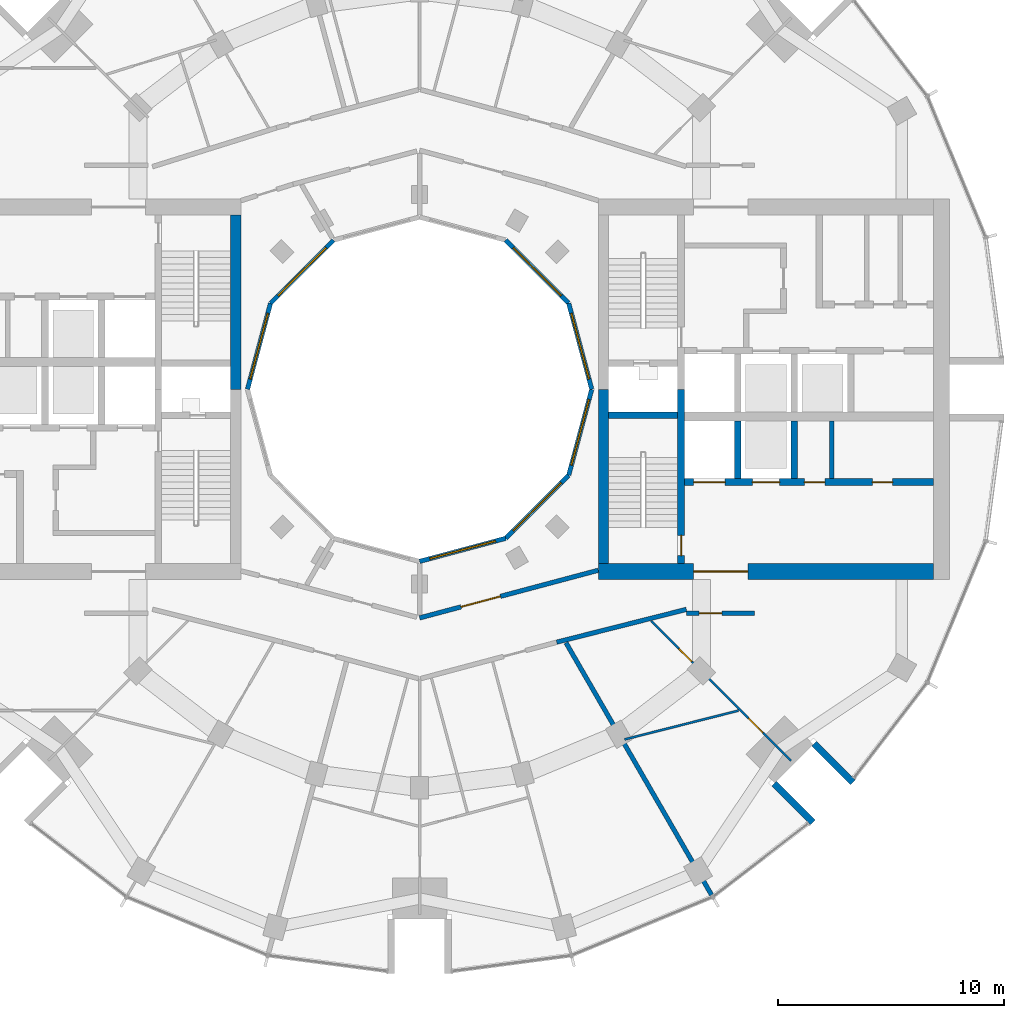
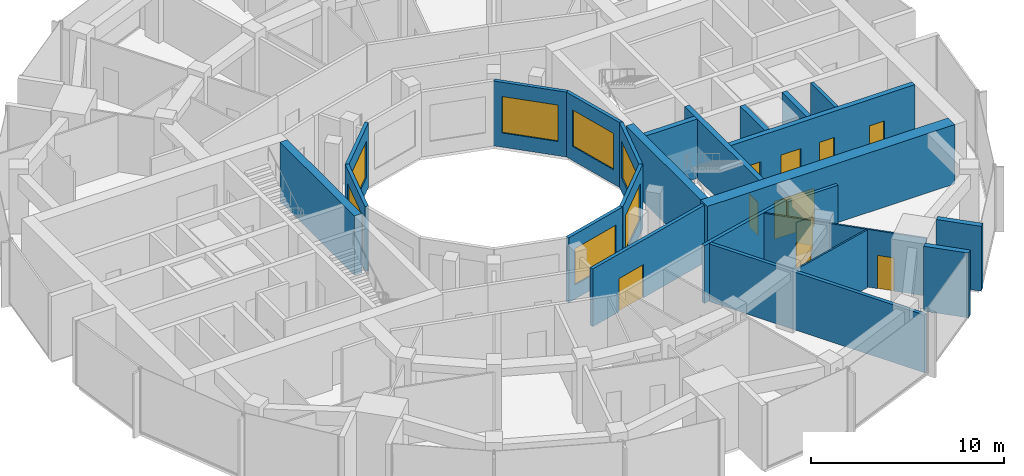
# One storey, part 10 of 15: 24 walls, 10 doors, 7 windows, 17 openings.
"""IFC4 building model written with IfcOpenShell, lengths in metres."""

from ifc_helpers import new_model, si_unit, direction, frame, frame_2d, origin, place, context, subcontext, project, spatial, rectangle, extrude, material, layer, layer_set, type_object, element, fill, save


model = new_model("IFC4")

# Units and contexts
model_context = context("Model", 3, precision=1e-05, world=origin(), true_north=direction((0.0, 1.0)))
body_context = subcontext(model_context, "Body", "Model", "MODEL_VIEW")
ifc_project = project(units=[si_unit("LENGTHUNIT", "METRE"), si_unit("AREAUNIT", "SQUARE_METRE"), si_unit("VOLUMEUNIT", "CUBIC_METRE"), si_unit("PLANEANGLEUNIT", "RADIAN"), si_unit("MASSUNIT", "GRAM", prefix="KILO")], contexts=[model_context])

# Site, building, storey
site_placement = place(None, origin())
site = spatial("IfcSite", under=ifc_project, at=site_placement, CompositionType="ELEMENT")
building_placement = place(site_placement, origin())
building = spatial("IfcBuilding", under=site, at=building_placement, Name="Torre Brocal", CompositionType="ELEMENT")
storey_placement = place(building_placement, frame((0.0, 0.0, 202.800048828125)))
storey = spatial("IfcBuildingStorey", under=building, at=storey_placement, Name="L47", CompositionType="ELEMENT", Elevation=202.800048828125)

# Wall
ifc_material_1 = material(Name="Masonry block", Category="masonry")
ifc_layer_1 = layer(ifc_material_1, 0.199951171875)
ifc_layer_set_1 = layer_set([ifc_layer_1], Name="Masonry block")
wall_type_1 = type_object("IfcWallType", Name="CORE PARTITION 200 UNDER 350 SLAB", PredefinedType="PARTITIONING", material=ifc_layer_set_1)
wall_1_placement = place(storey_placement, frame((98.199951171875, 71.050048828125, 0.0), z_axis=(0.0, 0.0, 1.0), x_axis=(0.0, 1.0, 0.0)))
element("IfcWall", 1, at=wall_1_placement, inside=storey, type_object=wall_type_1, Name="Wall CP200-S350", PredefinedType="PARTITIONING", context=body_context, shape_type="SweptSolid", body=[
    extrude(rectangle(XDim=2.550048828125, YDim=0.199951171875, at=frame_2d((1.27490234375, 0.0))), origin(), (0.0, 0.0, 1.0), 3.75),
])

# Wall, opening, door
ifc_material_2 = material(Name="Concrete C70", Category="concrete")
ifc_layer_2 = layer(ifc_material_2, 0.300048828125)
ifc_layer_set_2 = layer_set([ifc_layer_2], Name="Concrete C70")
wall_type_2 = type_object("IfcWallType", Name="CORE WALL 300 C70 UNDER 350 SLAB", PredefinedType="SHEAR", material=ifc_layer_set_2)
wall_2_placement = place(storey_placement, frame((91.550048828125, 67.300048828125, 0.0), z_axis=(0.0, 0.0, 1.0), x_axis=(0.0, 1.0, 0.0)))
wall_2 = element("IfcWall", 2, at=wall_2_placement, inside=storey, type_object=wall_type_2, Name="Wall CW300-70-S350", PredefinedType="SHEAR", context=body_context, shape_type="SweptSolid", body=[
    extrude(rectangle(XDim=7.699951171875, YDim=0.300048828125, at=frame_2d((3.85009765625, 0.0))), origin(), (0.0, 0.0, 1.0), 3.75),
])
opening_1_placement = place(wall_2_placement, frame((0.35009765625, 0.0, 0.0)))
opening_1 = element("IfcOpeningElement", 3, at=opening_1_placement, cuts=wall_2, Name="Opening E-D03", PredefinedType="OPENING", context=body_context, shape_type="SweptSolid", body=[
    extrude(rectangle(XDim=0.89990234375, YDim=2.10009765625, at=frame_2d((0.449951171875, 1.050048828125))), frame((0.0, 0.159912109375, 0.0), z_axis=(0.0, -1.0, 0.0), x_axis=(1.0, 0.0, 0.0)), (0.0, 0.0, 1.0), 0.320068359375),
])
ifc_material_3 = material(Name="Steel A653", Category="steel")
door_type_1 = type_object("IfcDoorType", Name="STAIR DOOR FD120 900X2100", OperationType="SINGLE_SWING_RIGHT", PredefinedType="DOOR", material=ifc_material_3)
door_1_placement = place(opening_1_placement, origin())
door_1 = element("IfcDoor", 4, at=door_1_placement, inside=storey, type_object=door_type_1, Name="Door E-D03", OperationType="SINGLE_SWING_LEFT", OverallHeight=2.10009765625, OverallWidth=0.89990234375, PredefinedType="DOOR", context=body_context, shape_type="SweptSolid", body=[
    extrude(rectangle(XDim=0.89990234375, YDim=2.10009765625, at=frame_2d((0.449951171875, 1.050048828125))), frame((0.0, 0.02490234375, 0.0), z_axis=(0.0, -1.0, 0.0), x_axis=(1.0, 0.0, 0.0)), (0.0, 0.0, 1.0), 0.050048828125),
])
fill(opening_1, door_1)

# Wall
wall_3_placement = place(storey_placement, frame((88.35009765625, 73.85009765625, 0.0), z_axis=(0.0, 0.0, 1.0), x_axis=(1.0, 0.0, 0.0)))
element("IfcWall", 5, at=wall_3_placement, inside=storey, type_object=wall_type_2, Name="Wall CW300-70-S350", PredefinedType="SHEAR", context=body_context, shape_type="SweptSolid", body=[
    extrude(rectangle(XDim=3.0498046875, YDim=0.300048828125, at=frame_2d((1.52490234375, 0.0))), origin(), (0.0, 0.0, 1.0), 3.75),
])

# Wall, openings, doors
wall_4_placement = place(storey_placement, frame((91.699951171875, 70.89990234375, 0.0), z_axis=(0.0, 0.0, 1.0), x_axis=(1.0, 0.0, 0.0)))
wall_4 = element("IfcWall", 6, at=wall_4_placement, inside=storey, type_object=wall_type_2, Name="Wall CW300-70-S350", PredefinedType="SHEAR", context=body_context, shape_type="SweptSolid", body=[
    extrude(rectangle(XDim=11.0, YDim=0.300048828125, at=frame_2d((5.5, 0.0))), origin(), (0.0, 0.0, 1.0), 3.75),
])
opening_2_placement = place(wall_4_placement, frame((0.39990234375, 0.0, 0.0)))
opening_2 = element("IfcOpeningElement", 7, at=opening_2_placement, cuts=wall_4, Name="Opening LD14", PredefinedType="OPENING", context=body_context, shape_type="SweptSolid", body=[
    extrude(rectangle(XDim=1.39990234375, YDim=2.10009765625, at=frame_2d((0.699951171875, 1.050048828125))), frame((0.0, 0.159912109375, 0.0), z_axis=(0.0, -1.0, 0.0), x_axis=(1.0, 0.0, 0.0)), (0.0, 0.0, 1.0), 0.320068359375),
])
opening_3_placement = place(wall_4_placement, frame((3.0, 0.0, 0.0)))
opening_3 = element("IfcOpeningElement", 8, at=opening_3_placement, cuts=wall_4, Name="Opening LD12", PredefinedType="OPENING", context=body_context, shape_type="SweptSolid", body=[
    extrude(rectangle(XDim=1.199951171875, YDim=2.10009765625, at=frame_2d((0.60009765625, 1.050048828125))), frame((0.0, 0.159912109375, 0.0), z_axis=(0.0, -1.0, 0.0), x_axis=(1.0, 0.0, 0.0)), (0.0, 0.0, 1.0), 0.320068359375),
])
opening_4_placement = place(wall_4_placement, frame((5.300048828125, 0.0, 0.0)))
opening_4 = element("IfcOpeningElement", 9, at=opening_4_placement, cuts=wall_4, Name="Opening E-D05", PredefinedType="OPENING", context=body_context, shape_type="SweptSolid", body=[
    extrude(rectangle(XDim=0.89990234375, YDim=2.10009765625, at=frame_2d((0.449951171875, 1.050048828125))), frame((0.0, 0.159912109375, 0.0), z_axis=(0.0, -1.0, 0.0), x_axis=(1.0, 0.0, 0.0)), (0.0, 0.0, 1.0), 0.320068359375),
])
opening_5_placement = place(wall_4_placement, frame((8.300048828125, 0.0, 0.0)))
opening_5 = element("IfcOpeningElement", 10, at=opening_5_placement, cuts=wall_4, Name="Opening E-D06", PredefinedType="OPENING", context=body_context, shape_type="SweptSolid", body=[
    extrude(rectangle(XDim=0.89990234375, YDim=2.10009765625, at=frame_2d((0.449951171875, 1.050048828125))), frame((0.0, 0.159912109375, 0.0), z_axis=(0.0, -1.0, 0.0), x_axis=(1.0, 0.0, 0.0)), (0.0, 0.0, 1.0), 0.320068359375),
])
ifc_material_4 = material(Name="Stainless steel AISI 316", Category="steel")
door_type_2 = type_object("IfcDoorType", Name="LIFT LANDING DOOR 1200X2100", OperationType="DOUBLE_DOOR_SLIDING", PredefinedType="DOOR", material=ifc_material_4)
door_2_placement = place(opening_3_placement, origin())
door_2 = element("IfcDoor", 11, at=door_2_placement, inside=storey, type_object=door_type_2, Name="Door LD12", OperationType="DOUBLE_DOOR_SLIDING", OverallHeight=2.10009765625, OverallWidth=1.199951171875, PredefinedType="DOOR", context=body_context, shape_type="SweptSolid", body=[
    extrude(rectangle(XDim=1.199951171875, YDim=2.10009765625, at=frame_2d((0.60009765625, 1.050048828125))), frame((0.0, 0.02490234375, 0.0), z_axis=(0.0, -1.0, 0.0), x_axis=(1.0, 0.0, 0.0)), (0.0, 0.0, 1.0), 0.050048828125),
])
fill(opening_3, door_2)
ifc_material_5 = material(Name="Stainless steel AISI 316", Category="steel")
door_type_3 = type_object("IfcDoorType", Name="LIFT LANDING DOOR 1400X2100", OperationType="DOUBLE_DOOR_SLIDING", PredefinedType="DOOR", material=ifc_material_5)
door_3_placement = place(opening_2_placement, origin())
door_3 = element("IfcDoor", 12, at=door_3_placement, inside=storey, type_object=door_type_3, Name="Door LD14", OperationType="DOUBLE_DOOR_SLIDING", OverallHeight=2.10009765625, OverallWidth=1.39990234375, PredefinedType="DOOR", context=body_context, shape_type="SweptSolid", body=[
    extrude(rectangle(XDim=1.39990234375, YDim=2.10009765625, at=frame_2d((0.699951171875, 1.050048828125))), frame((0.0, 0.02490234375, 0.0), z_axis=(0.0, -1.0, 0.0), x_axis=(1.0, 0.0, 0.0)), (0.0, 0.0, 1.0), 0.050048828125),
])
fill(opening_2, door_3)
ifc_material_6 = material(Name="Steel A653", Category="steel")
door_type_4 = type_object("IfcDoorType", Name="ROOM DOOR FD30S 900X2100", OperationType="SINGLE_SWING_LEFT", PredefinedType="DOOR", material=ifc_material_6)
door_4_placement = place(opening_4_placement, origin())
door_4 = element("IfcDoor", 13, at=door_4_placement, inside=storey, type_object=door_type_4, Name="Door E-D05", OperationType="SINGLE_SWING_RIGHT", OverallHeight=2.10009765625, OverallWidth=0.89990234375, PredefinedType="DOOR", context=body_context, shape_type="SweptSolid", body=[
    extrude(rectangle(XDim=0.89990234375, YDim=2.10009765625, at=frame_2d((0.449951171875, 1.050048828125))), frame((0.0, 0.02490234375, 0.0), z_axis=(0.0, -1.0, 0.0), x_axis=(1.0, 0.0, 0.0)), (0.0, 0.0, 1.0), 0.050048828125),
])
fill(opening_4, door_4)
door_5_placement = place(opening_5_placement, origin())
door_5 = element("IfcDoor", 14, at=door_5_placement, inside=storey, type_object=door_type_4, Name="Door E-D06", OperationType="SINGLE_SWING_RIGHT", OverallHeight=2.10009765625, OverallWidth=0.89990234375, PredefinedType="DOOR", context=body_context, shape_type="SweptSolid", body=[
    extrude(rectangle(XDim=0.89990234375, YDim=2.10009765625, at=frame_2d((0.449951171875, 1.050048828125))), frame((0.0, 0.02490234375, 0.0), z_axis=(0.0, -1.0, 0.0), x_axis=(1.0, 0.0, 0.0)), (0.0, 0.0, 1.0), 0.050048828125),
])
fill(opening_5, door_5)

# Walls
for number, where, z_axis, x_axis, name in (
    (15, (94.050048828125, 71.050048828125, 0.0), (0.0, 0.0, 1.0), (0.0, 1.0, 0.0), "Wall CW300-70-S350"),
    (16, (96.550048828125, 71.050048828125, 0.0), (0.0, 0.0, 1.0), (0.0, 1.0, 0.0), "Wall CW300-70-S350"),
):
    element("IfcWall", number, at=place(storey_placement, frame(where, z_axis=z_axis, x_axis=x_axis)), inside=storey, type_object=wall_type_2, Name=name, PredefinedType="SHEAR", context=body_context, shape_type="SweptSolid", body=[
        extrude(rectangle(XDim=2.550048828125, YDim=0.300048828125, at=frame_2d((1.27490234375, 0.0))), origin(), (0.0, 0.0, 1.0), 3.75),
    ])
ifc_material_7 = material(Name="Concrete C70", Category="concrete")
ifc_layer_3 = layer(ifc_material_7, 0.449951171875)
ifc_layer_set_3 = layer_set([ifc_layer_3], Name="Concrete C70")
wall_type_3 = type_object("IfcWallType", Name="CORE WALL 450 C70 UNDER 350 SLAB", PredefinedType="SHEAR", material=ifc_layer_set_3)
for number, where, z_axis, x_axis, name in (
    (17, (88.125, 67.300048828125, 0.0), (0.0, 0.0, 1.0), (0.0, 1.0, 0.0), "Wall CW450-70-S350"),
    (18, (71.875, 82.699951171875, 0.0), (0.0, 0.0, 1.0), (0.0, -1.0, 0.0), "Wall CW450-70-S350"),
):
    element("IfcWall", number, at=place(storey_placement, frame(where, z_axis=z_axis, x_axis=x_axis)), inside=storey, type_object=wall_type_3, Name=name, PredefinedType="SHEAR", context=body_context, shape_type="SweptSolid", body=[
        extrude(rectangle(XDim=7.699951171875, YDim=0.449951171875, at=frame_2d((3.85009765625, 0.0))), origin(), (0.0, 0.0, 1.0), 3.75),
    ])

# Wall, opening, door
ifc_material_8 = material(Name="Concrete C70", Category="concrete")
ifc_layer_4 = layer(ifc_material_8, 0.699951171875)
ifc_layer_set_4 = layer_set([ifc_layer_4], Name="Concrete C70")
wall_type_4 = type_object("IfcWallType", Name="CORE WALL 700 C70 UNDER 350 SLAB", PredefinedType="SHEAR", material=ifc_layer_set_4)
wall_5_placement = place(storey_placement, frame((87.89990234375, 66.949951171875, 0.0), z_axis=(0.0, 0.0, 1.0), x_axis=(1.0, 0.0, 0.0)))
wall_5 = element("IfcWall", 19, at=wall_5_placement, inside=storey, type_object=wall_type_4, Name="Wall CW700-70-S350", PredefinedType="SHEAR", context=body_context, shape_type="SweptSolid", body=[
    extrude(rectangle(XDim=14.800048828125, YDim=0.699951171875, at=frame_2d((7.39990234375, 0.0))), origin(), (0.0, 0.0, 1.0), 3.75),
])
opening_6_placement = place(wall_5_placement, frame((4.199951171875, 0.0, 0.0)))
opening_6 = element("IfcOpeningElement", 20, at=opening_6_placement, cuts=wall_5, Name="Opening E-D12", PredefinedType="OPENING", context=body_context, shape_type="SweptSolid", body=[
    extrude(rectangle(XDim=2.39990234375, YDim=2.39990234375, at=frame_2d((1.199951171875, 1.199951171875))), frame((0.0, 0.35986328125, 0.0), z_axis=(0.0, -1.0, 0.0), x_axis=(1.0, 0.0, 0.0)), (0.0, 0.0, 1.0), 0.719970703125),
])
ifc_material_9 = material(Name="Steel A653", Category="steel")
door_type_5 = type_object("IfcDoorType", Name="DOUBLE FIRE DOOR FD90 2400X2400", OperationType="DOUBLE_DOOR_SINGLE_SWING", PredefinedType="DOOR", material=ifc_material_9)
door_6_placement = place(opening_6_placement, origin())
door_6 = element("IfcDoor", 21, at=door_6_placement, inside=storey, type_object=door_type_5, Name="Door E-D12", OperationType="DOUBLE_DOOR_SINGLE_SWING", OverallHeight=2.39990234375, OverallWidth=2.39990234375, PredefinedType="DOOR", context=body_context, shape_type="SweptSolid", body=[
    extrude(rectangle(XDim=2.39990234375, YDim=2.39990234375, at=frame_2d((1.199951171875, 1.199951171875))), frame((0.0, 0.02490234375, 0.0), z_axis=(0.0, -1.0, 0.0), x_axis=(1.0, 0.0, 0.0)), (0.0, 0.0, 1.0), 0.050048828125),
])
fill(opening_6, door_6)

# Walls
ifc_material_10 = material(Name="Concrete C70", Category="concrete")
ifc_layer_5 = layer(ifc_material_10, 0.300048828125)
ifc_layer_set_5 = layer_set([ifc_layer_5], Name="Concrete C70")
wall_type_5 = type_object("IfcWallType", Name="NOTCH RETURN WALL 300 C70", PredefinedType="NOTDEFINED", material=ifc_layer_set_5)
for number, where, z_axis, x_axis, name in (
    (22, (95.662353515625, 57.56982421875, 0.0), (0.0, 0.0, 1.0), (0.707106781187, -0.707106781187, 0.0), "NOTCH RETURN WALL"),
    (23, (97.43017578125, 59.337646484375, 0.0), (0.0, 0.0, 1.0), (0.707106781187, -0.707106781187, 0.0), "NOTCH RETURN WALL"),
):
    element("IfcWall", number, at=place(storey_placement, frame(where, z_axis=z_axis, x_axis=x_axis)), inside=storey, type_object=wall_type_5, Name=name, PredefinedType="NOTDEFINED", context=body_context, shape_type="SweptSolid", body=[
        extrude(rectangle(XDim=2.415771484375, YDim=0.300048828125, at=frame_2d((1.2080078125, 0.0))), origin(), (0.0, 0.0, 1.0), 4.099853515625),
    ])
ifc_material_11 = material(Name="Gypsum board", Category="Gypsum")
ifc_layer_6 = layer(ifc_material_11, 0.10009765625)
ifc_layer_set_6 = layer_set([ifc_layer_6], Name="Gypsum board")
wall_type_6 = type_object("IfcWallType", Name="PARTITION 100", PredefinedType="PARTITIONING", material=ifc_layer_set_6)
wall_6_placement = place(storey_placement, frame((89.0537109375, 59.531005859375, 0.0), z_axis=(0.0, 0.0, 1.0), x_axis=(0.969472150829, 0.245201445279, 0.0)))
element("IfcWall", 24, at=wall_6_placement, inside=storey, type_object=wall_type_6, Name="BATHROOM WALL", PredefinedType="PARTITIONING", context=body_context, shape_type="SweptSolid", body=[
    extrude(rectangle(XDim=5.19140625, YDim=0.10009765625, at=frame_2d((2.595703125, 0.0))), origin(), (0.0, 0.0, 1.0), 3.64990234375),
])

# Wall, openings, doors
wall_7_placement = place(storey_placement, frame((90.236328125, 64.75830078125, 0.0), z_axis=(0.0, 0.0, 1.0), x_axis=(0.706952774706, -0.707260754132, 0.0)))
wall_7 = element("IfcWall", 25, at=wall_7_placement, inside=storey, type_object=wall_type_6, Name="BATHROOM WALL", PredefinedType="PARTITIONING", context=body_context, shape_type="SweptSolid", body=[
    extrude(rectangle(XDim=8.719970703125, YDim=0.10009765625, at=frame_2d((4.35986328125, 0.0))), origin(), (0.0, 0.0, 1.0), 3.64990234375),
])
opening_7_placement = place(wall_7_placement, frame((6.077392578125, 0.0, 0.0)))
opening_7 = element("IfcOpeningElement", 26, at=opening_7_placement, cuts=wall_7, Name="Opening R04-D22", PredefinedType="OPENING", context=body_context, shape_type="SweptSolid", body=[
    extrude(rectangle(XDim=0.89990234375, YDim=2.10009765625, at=frame_2d((0.449951171875, 1.050048828125))), frame((0.0, 0.06005859375, 0.0), z_axis=(0.0, -1.0, 0.0), x_axis=(1.0, 0.0, 0.0)), (0.0, 0.0, 1.0), 0.1201171875),
])
opening_8_placement = place(wall_7_placement, frame((1.722412109375, 0.0, 0.0)))
opening_8 = element("IfcOpeningElement", 27, at=opening_8_placement, cuts=wall_7, Name="Opening R04-D23", PredefinedType="OPENING", context=body_context, shape_type="SweptSolid", body=[
    extrude(rectangle(XDim=0.800048828125, YDim=2.10009765625, at=frame_2d((0.39990234375, 1.050048828125))), frame((0.0, 0.06005859375, 0.0), z_axis=(0.0, -1.0, 0.0), x_axis=(1.0, 0.0, 0.0)), (0.0, 0.0, 1.0), 0.1201171875),
])
ifc_material_12 = material(Name="Timber", Category="wood")
door_type_6 = type_object("IfcDoorType", Name="BATHROOM DOOR 800X2100", OperationType="SINGLE_SWING_LEFT", PredefinedType="DOOR", material=ifc_material_12)
door_7_placement = place(opening_8_placement, frame((0.800048828125, 0.0, 0.0), z_axis=(0.0, 0.0, 1.0), x_axis=(-1.0, 0.0, 0.0)))
door_7 = element("IfcDoor", 28, at=door_7_placement, inside=storey, type_object=door_type_6, Name="R04-D23", OperationType="SINGLE_SWING_RIGHT", OverallHeight=2.10009765625, OverallWidth=0.800048828125, PredefinedType="DOOR", context=body_context, shape_type="SweptSolid", body=[
    extrude(rectangle(XDim=0.800048828125, YDim=2.10009765625, at=frame_2d((0.39990234375, 1.050048828125))), frame((0.0, 0.02490234375, 0.0), z_axis=(0.0, -1.0, 0.0), x_axis=(1.0, 0.0, 0.0)), (0.0, 0.0, 1.0), 0.050048828125),
])
fill(opening_8, door_7)
ifc_material_13 = material(Name="Timber", Category="wood")
door_type_7 = type_object("IfcDoorType", Name="ROOM DOOR 900X2100", OperationType="SINGLE_SWING_LEFT", PredefinedType="DOOR", material=ifc_material_13)
door_8_placement = place(opening_7_placement, origin())
door_8 = element("IfcDoor", 29, at=door_8_placement, inside=storey, type_object=door_type_7, Name="R04-D22", OperationType="SINGLE_SWING_RIGHT", OverallHeight=2.10009765625, OverallWidth=0.89990234375, PredefinedType="DOOR", context=body_context, shape_type="SweptSolid", body=[
    extrude(rectangle(XDim=0.89990234375, YDim=2.10009765625, at=frame_2d((0.449951171875, 1.050048828125))), frame((0.0, 0.02490234375, 0.0), z_axis=(0.0, -1.0, 0.0), x_axis=(1.0, 0.0, 0.0)), (0.0, 0.0, 1.0), 0.050048828125),
])
fill(opening_7, door_8)

# Wall, opening, door
ifc_material_14 = material(Name="Gypsum board", Category="Gypsum")
ifc_layer_7 = layer(ifc_material_14, 0.199951171875)
ifc_layer_set_7 = layer_set([ifc_layer_7], Name="Gypsum board")
wall_type_7 = type_object("IfcWallType", Name="PARTITION 200 EI60", PredefinedType="PARTITIONING", material=ifc_layer_set_7)
wall_8_placement = place(storey_placement, frame((80.00048828125, 64.8984375, 0.0), z_axis=(0.0, 0.0, 1.0), x_axis=(0.966236923997, 0.25765520896, 0.0)))
wall_8 = element("IfcWall", 30, at=wall_8_placement, inside=storey, type_object=wall_type_7, Name="CORRIDOR WALL", PredefinedType="PARTITIONING", context=body_context, shape_type="SweptSolid", body=[
    extrude(rectangle(XDim=8.16796875, YDim=0.199951171875, at=frame_2d((4.083984375, 0.0))), origin(), (0.0, 0.0, 1.0), 3.64990234375),
])
opening_9_placement = place(wall_8_placement, frame((1.892578125, 0.0, 0.0)))
opening_9 = element("IfcOpeningElement", 31, at=opening_9_placement, cuts=wall_8, Name="Opening R04-D37", PredefinedType="OPENING", context=body_context, shape_type="SweptSolid", body=[
    extrude(rectangle(XDim=1.800048828125, YDim=2.10009765625, at=frame_2d((0.89990234375, 1.050048828125))), frame((0.0, 0.10986328125, 0.0), z_axis=(0.0, -1.0, 0.0), x_axis=(1.0, 0.0, 0.0)), (0.0, 0.0, 1.0), 0.219970703125),
])
ifc_material_15 = material(Name="Timber", Category="wood")
door_type_8 = type_object("IfcDoorType", Name="DOUBLE DOOR 1800X2100", OperationType="DOUBLE_DOOR_SINGLE_SWING", PredefinedType="DOOR", material=ifc_material_15)
door_9_placement = place(opening_9_placement, origin())
door_9 = element("IfcDoor", 32, at=door_9_placement, inside=storey, type_object=door_type_8, Name="R04-D37", OperationType="DOUBLE_DOOR_SINGLE_SWING", OverallHeight=2.10009765625, OverallWidth=1.800048828125, PredefinedType="DOOR", context=body_context, shape_type="SweptSolid", body=[
    extrude(rectangle(XDim=1.800048828125, YDim=2.10009765625, at=frame_2d((0.89990234375, 1.050048828125))), frame((0.0, 0.02490234375, 0.0), z_axis=(0.0, -1.0, 0.0), x_axis=(1.0, 0.0, 0.0)), (0.0, 0.0, 1.0), 0.050048828125),
])
fill(opening_9, door_9)

# Walls
wall_9_placement = place(storey_placement, frame((86.052978515625, 63.826171875, 0.0), z_axis=(0.0, 0.0, 1.0), x_axis=(0.969490004987, 0.245130843083, 0.0)))
element("IfcWall", 33, at=wall_9_placement, inside=storey, type_object=wall_type_7, Name="FLAT ENTRANCE WALL", PredefinedType="PARTITIONING", context=body_context, shape_type="SweptSolid", body=[
    extrude(rectangle(XDim=5.907958984375, YDim=0.199951171875, at=frame_2d((2.9541015625, 0.0))), origin(), (0.0, 0.0, 1.0), 3.64990234375),
])
wall_10_placement = place(storey_placement, frame((86.4658203125, 63.80126953125, 0.0), z_axis=(0.0, 0.0, 1.0), x_axis=(0.499937082171, -0.866061726362, 0.0)))
element("IfcWall", 34, at=wall_10_placement, inside=storey, type_object=wall_type_7, Name="BATHROOM WALL", PredefinedType="PARTITIONING", context=body_context, shape_type="SweptSolid", body=[
    extrude(rectangle(XDim=12.866455078125, YDim=0.199951171875, at=frame_2d((6.43310546875, 0.0))), origin(), (0.0, 0.0, 1.0), 3.64990234375),
])

# Wall, opening, door
wall_11_placement = place(storey_placement, frame((91.800048828125, 65.10009765625, 0.0), z_axis=(0.0, 0.0, 1.0), x_axis=(1.0, 0.0, 0.0)))
wall_11 = element("IfcWall", 35, at=wall_11_placement, inside=storey, type_object=wall_type_7, Name="FLAT ENTRANCE WALL", PredefinedType="PARTITIONING", context=body_context, shape_type="SweptSolid", body=[
    extrude(rectangle(XDim=3.0, YDim=0.199951171875, at=frame_2d((1.5, 0.0))), origin(), (0.0, 0.0, 1.0), 3.64990234375),
])
opening_10_placement = place(wall_11_placement, frame((0.550048828125, 0.0, 0.0)))
opening_10 = element("IfcOpeningElement", 36, at=opening_10_placement, cuts=wall_11, Name="Opening R04-D21", PredefinedType="OPENING", context=body_context, shape_type="SweptSolid", body=[
    extrude(rectangle(XDim=1.0, YDim=2.10009765625, at=frame_2d((0.5, 1.050048828125))), frame((0.0, 0.10986328125, 0.0), z_axis=(0.0, -1.0, 0.0), x_axis=(1.0, 0.0, 0.0)), (0.0, 0.0, 1.0), 0.219970703125),
])
ifc_material_16 = material(Name="Timber", Category="wood")
door_type_9 = type_object("IfcDoorType", Name="FLAT ENTRY DOOR FD30S 1000X2100", OperationType="SINGLE_SWING_RIGHT", PredefinedType="DOOR", material=ifc_material_16)
door_10_placement = place(opening_10_placement, frame((1.0, 0.0, 0.0), z_axis=(0.0, 0.0, 1.0), x_axis=(-1.0, 0.0, 0.0)))
door_10 = element("IfcDoor", 37, at=door_10_placement, inside=storey, type_object=door_type_9, Name="R04-D21", OperationType="SINGLE_SWING_RIGHT", OverallHeight=2.10009765625, OverallWidth=1.0, PredefinedType="DOOR", context=body_context, shape_type="SweptSolid", body=[
    extrude(rectangle(XDim=1.0, YDim=2.10009765625, at=frame_2d((0.5, 1.050048828125))), frame((0.0, 0.02490234375, 0.0), z_axis=(0.0, -1.0, 0.0), x_axis=(1.0, 0.0, 0.0)), (0.0, 0.0, 1.0), 0.050048828125),
])
fill(opening_10, door_10)

# Wall, opening, window
ifc_material_17 = material(Name="Concrete C40", Category="concrete")
ifc_layer_8 = layer(ifc_material_17, 0.199951171875)
ifc_layer_set_8 = layer_set([ifc_layer_8], Name="Concrete C40")
wall_type_8 = type_object("IfcWallType", Name="WELL FACADE WALL 200", PredefinedType="NOTDEFINED", material=ifc_layer_set_8)
wall_12_placement = place(storey_placement, frame((87.603515625, 75.0, 0.0), z_axis=(0.0, 0.0, 1.0), x_axis=(-0.258789828301, 0.965933654434, 0.0)))
wall_12 = element("IfcWall", 38, at=wall_12_placement, inside=storey, type_object=wall_type_8, Name="WELL FACADE WALL", PredefinedType="NOTDEFINED", context=body_context, shape_type="SweptSolid", body=[
    extrude(rectangle(XDim=3.935791015625, YDim=0.199951171875, at=frame_2d((1.9677734375, 0.0))), origin(), (0.0, 0.0, 1.0), 4.099853515625),
])
opening_11_placement = place(wall_12_placement, frame((0.468017578125, 0.0, 0.89990234375)))
opening_11 = element("IfcOpeningElement", 39, at=opening_11_placement, cuts=wall_12, Name="Opening W1", PredefinedType="OPENING", context=body_context, shape_type="SweptSolid", body=[
    extrude(rectangle(XDim=3.0, YDim=2.300048828125, at=frame_2d((1.5, 1.14990234375))), frame((0.0, 0.10986328125, 0.0), z_axis=(0.0, -1.0, 0.0), x_axis=(1.0, 0.0, 0.0)), (0.0, 0.0, 1.0), 0.219970703125),
])
ifc_material_18 = material(Name="Aluminium and glass", Category="aluminium")
window_type = type_object("IfcWindowType", Name="WELL WINDOW 3000X2300", PartitioningType="SINGLE_PANEL", PredefinedType="WINDOW", material=ifc_material_18)
window_1_placement = place(opening_11_placement, origin())
window_1 = element("IfcWindow", 40, at=window_1_placement, inside=storey, type_object=window_type, Name="WELL WINDOW 3000X2300", OverallHeight=2.300048828125, OverallWidth=3.0, PartitioningType="SINGLE_PANEL", PredefinedType="WINDOW", context=body_context, shape_type="SweptSolid", body=[
    extrude(rectangle(XDim=3.0, YDim=2.300048828125, at=frame_2d((1.5, 1.14990234375))), frame((0.0, 0.030029296875, 0.0), z_axis=(0.0, -1.0, 0.0), x_axis=(1.0, 0.0, 0.0)), (0.0, 0.0, 1.0), 0.06005859375),
])
fill(opening_11, window_1)

wall_13_placement = place(storey_placement, frame((86.5849609375, 78.8017578125, 0.0), z_axis=(0.0, 0.0, 1.0), x_axis=(-0.707106781187, 0.707106781187, 0.0)))
wall_13 = element("IfcWall", 41, at=wall_13_placement, inside=storey, type_object=wall_type_8, Name="WELL FACADE WALL", PredefinedType="NOTDEFINED", context=body_context, shape_type="SweptSolid", body=[
    extrude(rectangle(XDim=3.93603515625, YDim=0.199951171875, at=frame_2d((1.968017578125, 0.0))), origin(), (0.0, 0.0, 1.0), 4.099853515625),
])
opening_12_placement = place(wall_13_placement, frame((0.468017578125, 0.0, 0.89990234375)))
opening_12 = element("IfcOpeningElement", 42, at=opening_12_placement, cuts=wall_13, Name="Opening W1", PredefinedType="OPENING", context=body_context, shape_type="SweptSolid", body=[
    extrude(rectangle(XDim=3.0, YDim=2.300048828125, at=frame_2d((1.5, 1.14990234375))), frame((0.0, 0.10986328125, 0.0), z_axis=(0.0, -1.0, 0.0), x_axis=(1.0, 0.0, 0.0)), (0.0, 0.0, 1.0), 0.219970703125),
])
window_2_placement = place(opening_12_placement, origin())
window_2 = element("IfcWindow", 43, at=window_2_placement, inside=storey, type_object=window_type, Name="WELL WINDOW 3000X2300", OverallHeight=2.300048828125, OverallWidth=3.0, PartitioningType="SINGLE_PANEL", PredefinedType="WINDOW", context=body_context, shape_type="SweptSolid", body=[
    extrude(rectangle(XDim=3.0, YDim=2.300048828125, at=frame_2d((1.5, 1.14990234375))), frame((0.0, 0.030029296875, 0.0), z_axis=(0.0, -1.0, 0.0), x_axis=(1.0, 0.0, 0.0)), (0.0, 0.0, 1.0), 0.06005859375),
])
fill(opening_12, window_2)

wall_14_placement = place(storey_placement, frame((76.1982421875, 81.5849609375, 0.0), z_axis=(0.0, 0.0, 1.0), x_axis=(-0.707106781187, -0.707106781187, 0.0)))
wall_14 = element("IfcWall", 44, at=wall_14_placement, inside=storey, type_object=wall_type_8, Name="WELL FACADE WALL", PredefinedType="NOTDEFINED", context=body_context, shape_type="SweptSolid", body=[
    extrude(rectangle(XDim=3.93603515625, YDim=0.199951171875, at=frame_2d((1.968017578125, 0.0))), origin(), (0.0, 0.0, 1.0), 4.099853515625),
])
opening_13_placement = place(wall_14_placement, frame((0.468017578125, 0.0, 0.89990234375)))
opening_13 = element("IfcOpeningElement", 45, at=opening_13_placement, cuts=wall_14, Name="Opening W1", PredefinedType="OPENING", context=body_context, shape_type="SweptSolid", body=[
    extrude(rectangle(XDim=3.0, YDim=2.300048828125, at=frame_2d((1.5, 1.14990234375))), frame((0.0, 0.10986328125, 0.0), z_axis=(0.0, -1.0, 0.0), x_axis=(1.0, 0.0, 0.0)), (0.0, 0.0, 1.0), 0.219970703125),
])
window_3_placement = place(opening_13_placement, origin())
window_3 = element("IfcWindow", 46, at=window_3_placement, inside=storey, type_object=window_type, Name="WELL WINDOW 3000X2300", OverallHeight=2.300048828125, OverallWidth=3.0, PartitioningType="SINGLE_PANEL", PredefinedType="WINDOW", context=body_context, shape_type="SweptSolid", body=[
    extrude(rectangle(XDim=3.0, YDim=2.300048828125, at=frame_2d((1.5, 1.14990234375))), frame((0.0, 0.030029296875, 0.0), z_axis=(0.0, -1.0, 0.0), x_axis=(1.0, 0.0, 0.0)), (0.0, 0.0, 1.0), 0.06005859375),
])
fill(opening_13, window_3)

wall_15_placement = place(storey_placement, frame((73.4150390625, 78.8017578125, 0.0), z_axis=(0.0, 0.0, 1.0), x_axis=(-0.258789828301, -0.965933654434, 0.0)))
wall_15 = element("IfcWall", 47, at=wall_15_placement, inside=storey, type_object=wall_type_8, Name="WELL FACADE WALL", PredefinedType="NOTDEFINED", context=body_context, shape_type="SweptSolid", body=[
    extrude(rectangle(XDim=3.935791015625, YDim=0.199951171875, at=frame_2d((1.9677734375, 0.0))), origin(), (0.0, 0.0, 1.0), 4.099853515625),
])
opening_14_placement = place(wall_15_placement, frame((0.468017578125, 0.0, 0.89990234375)))
opening_14 = element("IfcOpeningElement", 48, at=opening_14_placement, cuts=wall_15, Name="Opening W1", PredefinedType="OPENING", context=body_context, shape_type="SweptSolid", body=[
    extrude(rectangle(XDim=3.0, YDim=2.300048828125, at=frame_2d((1.5, 1.14990234375))), frame((0.0, 0.10986328125, 0.0), z_axis=(0.0, -1.0, 0.0), x_axis=(1.0, 0.0, 0.0)), (0.0, 0.0, 1.0), 0.219970703125),
])
window_4_placement = place(opening_14_placement, origin())
window_4 = element("IfcWindow", 49, at=window_4_placement, inside=storey, type_object=window_type, Name="WELL WINDOW 3000X2300", OverallHeight=2.300048828125, OverallWidth=3.0, PartitioningType="SINGLE_PANEL", PredefinedType="WINDOW", context=body_context, shape_type="SweptSolid", body=[
    extrude(rectangle(XDim=3.0, YDim=2.300048828125, at=frame_2d((1.5, 1.14990234375))), frame((0.0, 0.030029296875, 0.0), z_axis=(0.0, -1.0, 0.0), x_axis=(1.0, 0.0, 0.0)), (0.0, 0.0, 1.0), 0.06005859375),
])
fill(opening_14, window_4)

wall_16_placement = place(storey_placement, frame((80.0, 67.396484375, 0.0), z_axis=(0.0, 0.0, 1.0), x_axis=(0.965933654434, 0.258789828301, 0.0)))
wall_16 = element("IfcWall", 50, at=wall_16_placement, inside=storey, type_object=wall_type_8, Name="WELL FACADE WALL", PredefinedType="NOTDEFINED", context=body_context, shape_type="SweptSolid", body=[
    extrude(rectangle(XDim=3.935791015625, YDim=0.199951171875, at=frame_2d((1.9677734375, 0.0))), origin(), (0.0, 0.0, 1.0), 4.099853515625),
])
opening_15_placement = place(wall_16_placement, frame((0.468017578125, 0.0, 0.89990234375)))
opening_15 = element("IfcOpeningElement", 51, at=opening_15_placement, cuts=wall_16, Name="Opening W1", PredefinedType="OPENING", context=body_context, shape_type="SweptSolid", body=[
    extrude(rectangle(XDim=3.0, YDim=2.300048828125, at=frame_2d((1.5, 1.14990234375))), frame((0.0, 0.10986328125, 0.0), z_axis=(0.0, -1.0, 0.0), x_axis=(1.0, 0.0, 0.0)), (0.0, 0.0, 1.0), 0.219970703125),
])
window_5_placement = place(opening_15_placement, origin())
window_5 = element("IfcWindow", 52, at=window_5_placement, inside=storey, type_object=window_type, Name="WELL WINDOW 3000X2300", OverallHeight=2.300048828125, OverallWidth=3.0, PartitioningType="SINGLE_PANEL", PredefinedType="WINDOW", context=body_context, shape_type="SweptSolid", body=[
    extrude(rectangle(XDim=3.0, YDim=2.300048828125, at=frame_2d((1.5, 1.14990234375))), frame((0.0, 0.030029296875, 0.0), z_axis=(0.0, -1.0, 0.0), x_axis=(1.0, 0.0, 0.0)), (0.0, 0.0, 1.0), 0.06005859375),
])
fill(opening_15, window_5)

wall_17_placement = place(storey_placement, frame((83.8017578125, 68.4150390625, 0.0), z_axis=(0.0, 0.0, 1.0), x_axis=(0.707106781187, 0.707106781187, 0.0)))
wall_17 = element("IfcWall", 53, at=wall_17_placement, inside=storey, type_object=wall_type_8, Name="WELL FACADE WALL", PredefinedType="NOTDEFINED", context=body_context, shape_type="SweptSolid", body=[
    extrude(rectangle(XDim=3.93603515625, YDim=0.199951171875, at=frame_2d((1.968017578125, 0.0))), origin(), (0.0, 0.0, 1.0), 4.099853515625),
])
opening_16_placement = place(wall_17_placement, frame((0.468017578125, 0.0, 0.89990234375)))
opening_16 = element("IfcOpeningElement", 54, at=opening_16_placement, cuts=wall_17, Name="Opening W1", PredefinedType="OPENING", context=body_context, shape_type="SweptSolid", body=[
    extrude(rectangle(XDim=3.0, YDim=2.300048828125, at=frame_2d((1.5, 1.14990234375))), frame((0.0, 0.10986328125, 0.0), z_axis=(0.0, -1.0, 0.0), x_axis=(1.0, 0.0, 0.0)), (0.0, 0.0, 1.0), 0.219970703125),
])
window_6_placement = place(opening_16_placement, origin())
window_6 = element("IfcWindow", 55, at=window_6_placement, inside=storey, type_object=window_type, Name="WELL WINDOW 3000X2300", OverallHeight=2.300048828125, OverallWidth=3.0, PartitioningType="SINGLE_PANEL", PredefinedType="WINDOW", context=body_context, shape_type="SweptSolid", body=[
    extrude(rectangle(XDim=3.0, YDim=2.300048828125, at=frame_2d((1.5, 1.14990234375))), frame((0.0, 0.030029296875, 0.0), z_axis=(0.0, -1.0, 0.0), x_axis=(1.0, 0.0, 0.0)), (0.0, 0.0, 1.0), 0.06005859375),
])
fill(opening_16, window_6)

wall_18_placement = place(storey_placement, frame((86.5849609375, 71.1982421875, 0.0), z_axis=(0.0, 0.0, 1.0), x_axis=(0.258789828301, 0.965933654434, 0.0)))
wall_18 = element("IfcWall", 56, at=wall_18_placement, inside=storey, type_object=wall_type_8, Name="WELL FACADE WALL", PredefinedType="NOTDEFINED", context=body_context, shape_type="SweptSolid", body=[
    extrude(rectangle(XDim=3.935791015625, YDim=0.199951171875, at=frame_2d((1.9677734375, 0.0))), origin(), (0.0, 0.0, 1.0), 4.099853515625),
])
opening_17_placement = place(wall_18_placement, frame((0.468017578125, 0.0, 0.89990234375)))
opening_17 = element("IfcOpeningElement", 57, at=opening_17_placement, cuts=wall_18, Name="Opening W1", PredefinedType="OPENING", context=body_context, shape_type="SweptSolid", body=[
    extrude(rectangle(XDim=3.0, YDim=2.300048828125, at=frame_2d((1.5, 1.14990234375))), frame((0.0, 0.10986328125, 0.0), z_axis=(0.0, -1.0, 0.0), x_axis=(1.0, 0.0, 0.0)), (0.0, 0.0, 1.0), 0.219970703125),
])
window_7_placement = place(opening_17_placement, origin())
window_7 = element("IfcWindow", 58, at=window_7_placement, inside=storey, type_object=window_type, Name="WELL WINDOW 3000X2300", OverallHeight=2.300048828125, OverallWidth=3.0, PartitioningType="SINGLE_PANEL", PredefinedType="WINDOW", context=body_context, shape_type="SweptSolid", body=[
    extrude(rectangle(XDim=3.0, YDim=2.300048828125, at=frame_2d((1.5, 1.14990234375))), frame((0.0, 0.030029296875, 0.0), z_axis=(0.0, -1.0, 0.0), x_axis=(1.0, 0.0, 0.0)), (0.0, 0.0, 1.0), 0.06005859375),
])
fill(opening_17, window_7)

save(model, "model.ifc")
